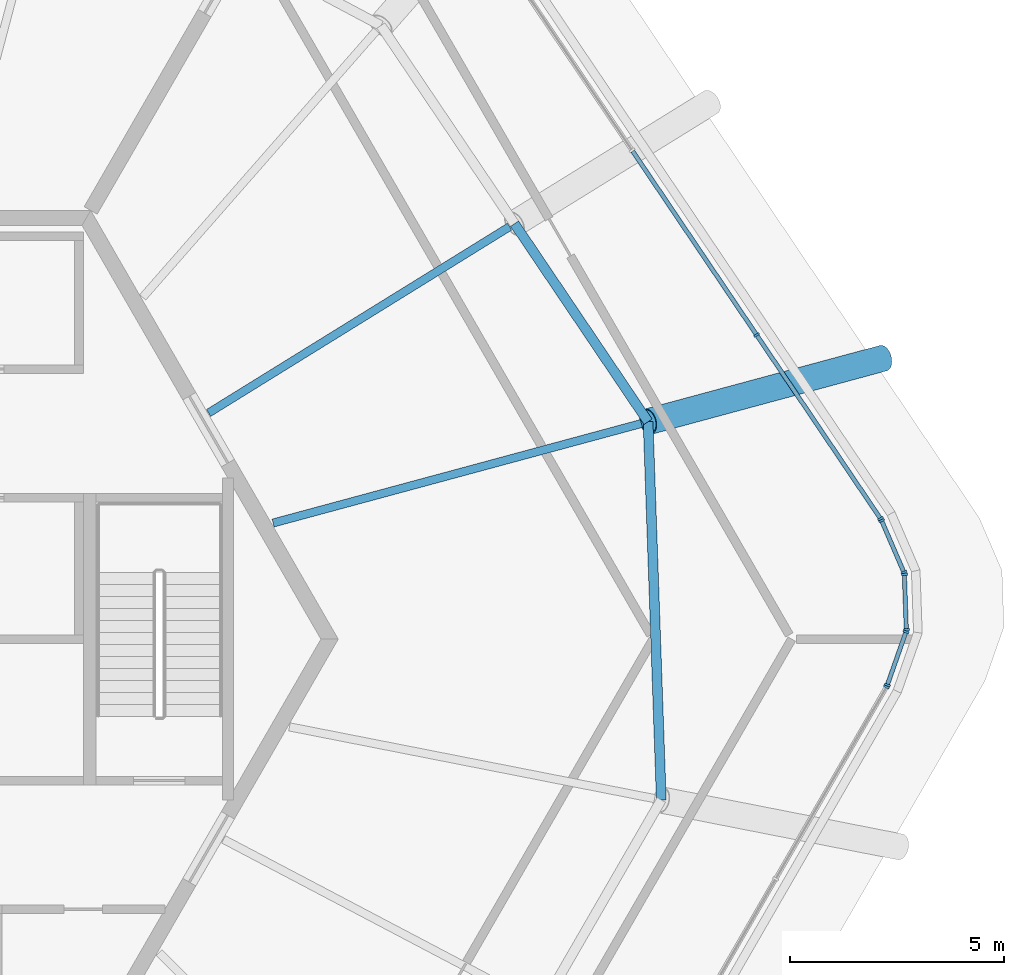
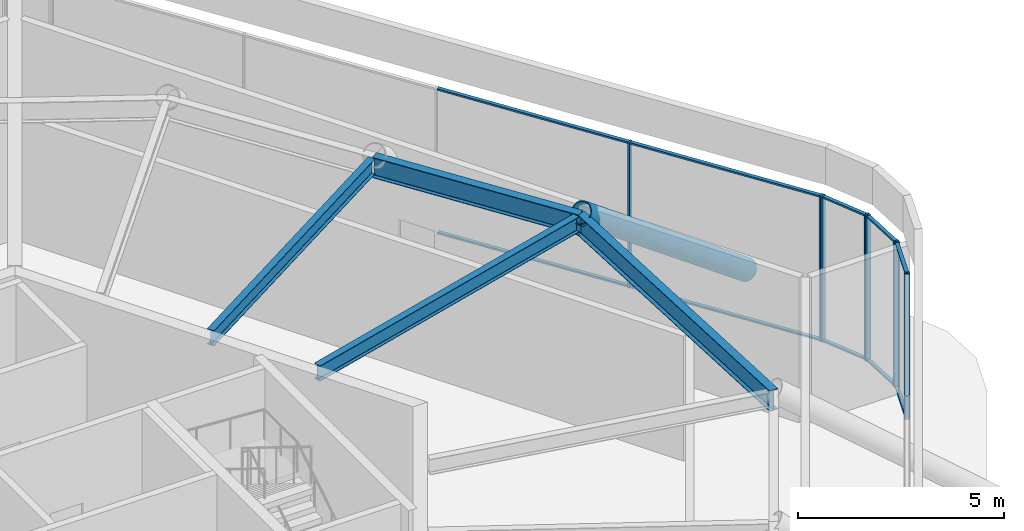
# One storey, part 5 of 13: 20 members, 4 beams, 5 elements without a shape of their own.
"""IFC4 building model written with IfcOpenShell, lengths in metres."""

from ifc_helpers import new_model, si_unit, direction, frame, origin, origin_2d, place, context, subcontext, project, spatial, rectangle, hollow_circle, i_section, extrude, material, material_profile, profile_set, type_object, element, aggregate, save


model = new_model("IFC4")

# Units and contexts
model_context = context("Model", 3, precision=1e-05, world=origin(), true_north=direction((0.0, 1.0)))
body_context = subcontext(model_context, "Body", "Model", "MODEL_VIEW")
ifc_project = project(units=[si_unit("LENGTHUNIT", "METRE"), si_unit("AREAUNIT", "SQUARE_METRE"), si_unit("VOLUMEUNIT", "CUBIC_METRE"), si_unit("PLANEANGLEUNIT", "RADIAN"), si_unit("MASSUNIT", "GRAM", prefix="KILO")], contexts=[model_context])

# Site, building, storey
site_placement = place(None, origin())
site = spatial("IfcSite", under=ifc_project, at=site_placement, CompositionType="ELEMENT")
building_placement = place(site_placement, origin())
building = spatial("IfcBuilding", under=site, at=building_placement, Name="Tarnside Tower", CompositionType="ELEMENT")
storey_placement = place(building_placement, frame((0.0, 0.0, 388.199951171875)))
storey = spatial("IfcBuildingStorey", under=building, at=storey_placement, Name="L92", CompositionType="ELEMENT", Elevation=388.199951171875)

# Curtain wall, members
ifc_material_1 = material(Name="Crown glazing wall", Category="glass")
curtain_wall_type = type_object("IfcCurtainWallType", Name="Crown glazing wall", PredefinedType="NOTDEFINED", material=ifc_material_1)
curtain_wall_1_placement = place(storey_placement, origin())
curtain_wall_1 = element("IfcCurtainWall", 1, at=curtain_wall_1_placement, inside=storey, type_object=curtain_wall_type, Name="Crown glazing L92 04", PredefinedType="NOTDEFINED")
ifc_material_2 = material(Name="Aluminium alloy 6063", Category="aluminium")
ifc_material_profile_1 = material_profile(ifc_material_2, rectangle(XDim=0.139892578125, YDim=0.050048828125, at=origin_2d()), Name="Crown glazing mullion 50 x 140")
ifc_profile_set_1 = profile_set([ifc_material_profile_1], Name="Aluminium alloy 6063")
member_type_1 = type_object("IfcMemberType", Name="Crown glazing mullion 50 x 140", PredefinedType="MULLION", material=ifc_profile_set_1)
member_1_placement = place(storey_placement, frame((21.30517578125, 7.094482421875, 0.0), z_axis=(0.0, 0.0, 1.0), x_axis=(0.829037572555, 0.559192903471, 0.0)))
member_1 = element("IfcMember", 2, at=member_1_placement, type_object=member_type_1, Name="CW6 mullion 4", PredefinedType="MULLION", context=body_context, shape_type="SweptSolid", body=[
    extrude(rectangle(XDim=0.139892578125, YDim=0.050048828125, at=origin_2d()), origin(), (0.0, 0.0, 1.0), 4.300048828125),
])
member_2_placement = place(storey_placement, frame((24.1962890625, 2.808349609375, 0.0), z_axis=(0.0, 0.0, 1.0), x_axis=(0.829037572555, 0.559192903471, 0.0)))
member_2 = element("IfcMember", 3, at=member_2_placement, type_object=member_type_1, Name="CW6 mullion 5", PredefinedType="MULLION", context=body_context, shape_type="SweptSolid", body=[
    extrude(rectangle(XDim=0.139892578125, YDim=0.050048828125, at=origin_2d()), origin(), (0.0, 0.0, 1.0), 4.300048828125),
])

curtain_wall_2_placement = place(storey_placement, origin())
curtain_wall_2 = element("IfcCurtainWall", 4, at=curtain_wall_2_placement, inside=storey, type_object=curtain_wall_type, Name="Crown glazing L92 05", PredefinedType="NOTDEFINED")
member_3_placement = place(storey_placement, frame((24.22021484375, 2.7646484375, 0.0), z_axis=(0.0, 0.0, 1.0), x_axis=(0.918216106813, 0.396079766194, 0.0)))
member_3 = element("IfcMember", 5, at=member_3_placement, type_object=member_type_1, Name="CW6 mullion 1", PredefinedType="MULLION", context=body_context, shape_type="SweptSolid", body=[
    extrude(rectangle(XDim=0.139892578125, YDim=0.050048828125, at=origin_2d()), origin(), (0.0, 0.0, 1.0), 4.300048828125),
])
member_4_placement = place(storey_placement, frame((24.740234375, 1.558837890625, 0.0), z_axis=(0.0, 0.0, 1.0), x_axis=(0.918216106813, 0.396079766194, 0.0)))
member_4 = element("IfcMember", 6, at=member_4_placement, type_object=member_type_1, Name="CW6 mullion 2", PredefinedType="MULLION", context=body_context, shape_type="SweptSolid", body=[
    extrude(rectangle(XDim=0.139892578125, YDim=0.050048828125, at=origin_2d()), origin(), (0.0, 0.0, 1.0), 4.300048828125),
])

curtain_wall_3_placement = place(storey_placement, origin())
curtain_wall_3 = element("IfcCurtainWall", 7, at=curtain_wall_3_placement, inside=storey, type_object=curtain_wall_type, Name="Crown glazing L92 06", PredefinedType="NOTDEFINED")
member_5_placement = place(storey_placement, frame((24.7509765625, 1.510986328125, 0.0), z_axis=(0.0, 0.0, 1.0), x_axis=(0.999390827031, 0.034899496354, 0.0)))
member_5 = element("IfcMember", 8, at=member_5_placement, type_object=member_type_1, Name="CW6 mullion 1", PredefinedType="MULLION", context=body_context, shape_type="SweptSolid", body=[
    extrude(rectangle(XDim=0.139892578125, YDim=0.050048828125, at=origin_2d()), origin(), (0.0, 0.0, 1.0), 4.300048828125),
])
member_6_placement = place(storey_placement, frame((24.796142578125, 0.21923828125, 0.0), z_axis=(0.0, 0.0, 1.0), x_axis=(0.999390827031, 0.034899496354, 0.0)))
member_6 = element("IfcMember", 9, at=member_6_placement, type_object=member_type_1, Name="CW6 mullion 2", PredefinedType="MULLION", context=body_context, shape_type="SweptSolid", body=[
    extrude(rectangle(XDim=0.139892578125, YDim=0.050048828125, at=origin_2d()), origin(), (0.0, 0.0, 1.0), 4.300048828125),
])

curtain_wall_4_placement = place(storey_placement, origin())
curtain_wall_4 = element("IfcCurtainWall", 10, at=curtain_wall_4_placement, inside=storey, type_object=curtain_wall_type, Name="Crown glazing L92 07", PredefinedType="NOTDEFINED")
member_7_placement = place(storey_placement, frame((24.788818359375, 0.170654296875, 0.0), z_axis=(0.0, 0.0, 1.0), x_axis=(0.943608506344, -0.331063418028, 0.0)))
member_7 = element("IfcMember", 11, at=member_7_placement, type_object=member_type_1, Name="CW6 mullion 1", PredefinedType="MULLION", context=body_context, shape_type="SweptSolid", body=[
    extrude(rectangle(XDim=0.139892578125, YDim=0.050048828125, at=origin_2d()), origin(), (0.0, 0.0, 1.0), 4.300048828125),
])
member_8_placement = place(storey_placement, frame((24.35400390625, -1.068359375, 0.0), z_axis=(0.0, 0.0, 1.0), x_axis=(0.943608506344, -0.331063418028, 0.0)))
member_8 = element("IfcMember", 12, at=member_8_placement, type_object=member_type_1, Name="CW6 mullion 2", PredefinedType="MULLION", context=body_context, shape_type="SweptSolid", body=[
    extrude(rectangle(XDim=0.139892578125, YDim=0.050048828125, at=origin_2d()), origin(), (0.0, 0.0, 1.0), 4.300048828125),
])

# Curtain wall, member
curtain_wall_5_placement = place(storey_placement, origin())
curtain_wall_5 = element("IfcCurtainWall", 13, at=curtain_wall_5_placement, inside=storey, type_object=curtain_wall_type, Name="Crown glazing L92 08", PredefinedType="NOTDEFINED")
member_9_placement = place(storey_placement, frame((24.333251953125, -1.11376953125, 0.0), z_axis=(0.0, 0.0, 1.0), x_axis=(0.866025403784, -0.5, 0.0)))
member_9 = element("IfcMember", 14, at=member_9_placement, type_object=member_type_1, Name="CW6 mullion 1", PredefinedType="MULLION", context=body_context, shape_type="SweptSolid", body=[
    extrude(rectangle(XDim=0.139892578125, YDim=0.050048828125, at=origin_2d()), origin(), (0.0, 0.0, 1.0), 4.300048828125),
])
aggregate(curtain_wall_5, [member_9])

# Member
ifc_material_profile_2 = material_profile(ifc_material_2, rectangle(XDim=0.10009765625, YDim=0.050048828125, at=origin_2d()), Name="Crown glazing transom 50 x 100")
ifc_profile_set_2 = profile_set([ifc_material_profile_2], Name="Aluminium alloy 6063")
member_type_2 = type_object("IfcMemberType", Name="Crown glazing transom 50 x 100", PredefinedType="USERDEFINED", material=ifc_profile_set_2)
member_10_placement = place(storey_placement, frame((18.414306640625, 11.380615234375, 0.025146484375), z_axis=(0.559181870059, -0.829045014579, 0.0), x_axis=(0.829045014579, 0.559181870059, 0.0)))
member_10 = element("IfcMember", 15, at=member_10_placement, type_object=member_type_2, Name="CW6 transom 3.1", ObjectType="TRANSOM", PredefinedType="USERDEFINED", context=body_context, shape_type="SweptSolid", body=[
    extrude(rectangle(XDim=0.10009765625, YDim=0.050048828125, at=origin_2d()), origin(), (0.0, 0.0, 1.0), 5.14501953125),
])

member_11_placement = place(storey_placement, frame((18.414306640625, 11.380615234375, 4.275146484375), z_axis=(0.559181870059, -0.829045014579, 0.0), x_axis=(0.829045014579, 0.559181870059, 0.0)))
member_11 = element("IfcMember", 16, at=member_11_placement, type_object=member_type_2, Name="CW6 transom 3.2", ObjectType="TRANSOM", PredefinedType="USERDEFINED", context=body_context, shape_type="SweptSolid", body=[
    extrude(rectangle(XDim=0.10009765625, YDim=0.050048828125, at=origin_2d()), origin(), (0.0, 0.0, 1.0), 5.14501953125),
])

member_12_placement = place(storey_placement, frame((21.319091796875, 7.07373046875, 0.025146484375), z_axis=(0.559192737184, -0.829037684717, 0.0), x_axis=(0.829037684717, 0.559192737184, 0.0)))
member_12 = element("IfcMember", 17, at=member_12_placement, type_object=member_type_2, Name="CW6 transom 4.1", ObjectType="TRANSOM", PredefinedType="USERDEFINED", context=body_context, shape_type="SweptSolid", body=[
    extrude(rectangle(XDim=0.10009765625, YDim=0.050048828125, at=origin_2d()), origin(), (0.0, 0.0, 1.0), 5.119873046875),
])

member_13_placement = place(storey_placement, frame((21.319091796875, 7.07373046875, 4.275146484375), z_axis=(0.559192737184, -0.829037684717, 0.0), x_axis=(0.829037684717, 0.559192737184, 0.0)))
member_13 = element("IfcMember", 18, at=member_13_placement, type_object=member_type_2, Name="CW6 transom 4.2", ObjectType="TRANSOM", PredefinedType="USERDEFINED", context=body_context, shape_type="SweptSolid", body=[
    extrude(rectangle(XDim=0.10009765625, YDim=0.050048828125, at=origin_2d()), origin(), (0.0, 0.0, 1.0), 5.119873046875),
])

aggregate(curtain_wall_1, [member_1, member_2, member_10, member_11, member_12, member_13])

member_14_placement = place(storey_placement, frame((24.22998046875, 2.74169921875, 0.025146484375), z_axis=(0.396180566146, -0.918172619396, 0.0), x_axis=(0.918172619396, 0.396180566146, 0.0)))
member_14 = element("IfcMember", 19, at=member_14_placement, type_object=member_type_2, Name="CW6 transom 1.1", ObjectType="TRANSOM", PredefinedType="USERDEFINED", context=body_context, shape_type="SweptSolid", body=[
    extrude(rectangle(XDim=0.10009765625, YDim=0.050048828125, at=origin_2d()), origin(), (0.0, 0.0, 1.0), 1.26318359375),
])

member_15_placement = place(storey_placement, frame((24.22998046875, 2.74169921875, 4.275146484375), z_axis=(0.396180566146, -0.918172619396, 0.0), x_axis=(0.918172619396, 0.396180566146, 0.0)))
member_15 = element("IfcMember", 20, at=member_15_placement, type_object=member_type_2, Name="CW6 transom 1.2", ObjectType="TRANSOM", PredefinedType="USERDEFINED", context=body_context, shape_type="SweptSolid", body=[
    extrude(rectangle(XDim=0.10009765625, YDim=0.050048828125, at=origin_2d()), origin(), (0.0, 0.0, 1.0), 1.26318359375),
])

aggregate(curtain_wall_2, [member_3, member_4, member_14, member_15])

member_16_placement = place(storey_placement, frame((24.751953125, 1.48583984375, 0.025146484375), z_axis=(0.034787191626, -0.999394742481, 0.0), x_axis=(0.999394742481, 0.034787191626, 0.0)))
member_16 = element("IfcMember", 21, at=member_16_placement, type_object=member_type_2, Name="CW6 transom 1.1", ObjectType="TRANSOM", PredefinedType="USERDEFINED", context=body_context, shape_type="SweptSolid", body=[
    extrude(rectangle(XDim=0.10009765625, YDim=0.050048828125, at=origin_2d()), origin(), (0.0, 0.0, 1.0), 1.2421875),
])

member_17_placement = place(storey_placement, frame((24.751953125, 1.48583984375, 4.275146484375), z_axis=(0.034787191626, -0.999394742481, 0.0), x_axis=(0.999394742481, 0.034787191626, 0.0)))
member_17 = element("IfcMember", 22, at=member_17_placement, type_object=member_type_2, Name="CW6 transom 1.2", ObjectType="TRANSOM", PredefinedType="USERDEFINED", context=body_context, shape_type="SweptSolid", body=[
    extrude(rectangle(XDim=0.10009765625, YDim=0.050048828125, at=origin_2d()), origin(), (0.0, 0.0, 1.0), 1.2421875),
])

aggregate(curtain_wall_3, [member_5, member_6, member_16, member_17])

member_18_placement = place(storey_placement, frame((24.780517578125, 0.147216796875, 0.025146484375), z_axis=(-0.33103035824, -0.943620104663, 0.0), x_axis=(0.943620104663, -0.33103035824, 0.0)))
member_18 = element("IfcMember", 23, at=member_18_placement, type_object=member_type_2, Name="CW6 transom 1.1", ObjectType="TRANSOM", PredefinedType="USERDEFINED", context=body_context, shape_type="SweptSolid", body=[
    extrude(rectangle(XDim=0.10009765625, YDim=0.050048828125, at=origin_2d()), origin(), (0.0, 0.0, 1.0), 1.263427734375),
])

member_19_placement = place(storey_placement, frame((24.780517578125, 0.147216796875, 4.275146484375), z_axis=(-0.33103035824, -0.943620104663, 0.0), x_axis=(0.943620104663, -0.33103035824, 0.0)))
member_19 = element("IfcMember", 24, at=member_19_placement, type_object=member_type_2, Name="CW6 transom 1.2", ObjectType="TRANSOM", PredefinedType="USERDEFINED", context=body_context, shape_type="SweptSolid", body=[
    extrude(rectangle(XDim=0.10009765625, YDim=0.050048828125, at=origin_2d()), origin(), (0.0, 0.0, 1.0), 1.263427734375),
])

aggregate(curtain_wall_4, [member_7, member_8, member_18, member_19])

# Beams
ifc_material_3 = material(Name="Steel S355", Category="steel")
ifc_material_profile_3 = material_profile(ifc_material_3, i_section(OverallWidth=0.18994140625, OverallDepth=0.453369140625, WebThickness=0.008544921875, FlangeThickness=0.0126953125, FilletRadius=0.01025390625, at=origin_2d()), Name="UB 457x191x67")
ifc_profile_set_3 = profile_set([ifc_material_profile_3], Name="Steel S355")
beam_type_1 = type_object("IfcBeamType", Name="Floor beam UB 457x191x67", PredefinedType="BEAM", material=ifc_profile_set_3)
beam_1_placement = place(storey_placement, frame((18.618408203125, 5.030029296875, 4.0732421875), z_axis=(-0.965385987406, -0.260825411568, 0.0), x_axis=(0.260825411568, -0.965385987406, 0.0)))
element("IfcBeam", 25, at=beam_1_placement, inside=storey, type_object=beam_type_1, Name="Floor beam RB16", PredefinedType="BEAM", context=body_context, shape_type="SweptSolid", body=[
    extrude(i_section(OverallWidth=0.18994140625, OverallDepth=0.453369140625, WebThickness=0.008544921875, FlangeThickness=0.0126953125, FilletRadius=0.01025390625, at=origin_2d()), origin(), (0.0, 0.0, 1.0), 8.89892578125),
])
beam_2_placement = place(storey_placement, frame((15.54345703125, 9.620849609375, 4.0732421875), z_axis=(-0.850302960042, -0.526293526603, 0.0), x_axis=(0.526293526603, -0.850302960042, 0.0)))
element("IfcBeam", 26, at=beam_2_placement, inside=storey, type_object=beam_type_1, Name="Floor beam RB17", PredefinedType="BEAM", context=body_context, shape_type="SweptSolid", body=[
    extrude(i_section(OverallWidth=0.18994140625, OverallDepth=0.453369140625, WebThickness=0.008544921875, FlangeThickness=0.0126953125, FilletRadius=0.01025390625, at=origin_2d()), origin(), (0.0, 0.0, 1.0), 8.25537109375),
])
ifc_material_profile_4 = material_profile(ifc_material_3, i_section(OverallWidth=0.228271484375, OverallDepth=0.607666015625, WebThickness=0.010986328125, FlangeThickness=0.017333984375, FilletRadius=0.0126953125, at=origin_2d()), Name="UB 610x229x113")
ifc_profile_set_4 = profile_set([ifc_material_profile_4], Name="Steel S355")
beam_type_2 = type_object("IfcBeamType", Name="Floor beam UB 610x229x113", PredefinedType="BEAM", material=ifc_profile_set_4)
beam_3_placement = place(storey_placement, frame((19.08154296875, -3.75, 3.996337890625), z_axis=(-0.034904273349, 0.999390660204, 0.0), x_axis=(-0.999390660204, -0.034904273349, 0.0)))
element("IfcBeam", 27, at=beam_3_placement, inside=storey, type_object=beam_type_2, Name="Floor beam R15", PredefinedType="BEAM", context=body_context, shape_type="SweptSolid", body=[
    extrude(i_section(OverallWidth=0.228271484375, OverallDepth=0.607666015625, WebThickness=0.010986328125, FlangeThickness=0.017333984375, FilletRadius=0.0126953125, at=origin_2d()), origin(), (0.0, 0.0, 1.0), 8.8271484375),
])
beam_4_placement = place(storey_placement, frame((18.7734375, 5.07177734375, 3.996337890625), z_axis=(-0.559191393124, 0.829038591295, 0.0), x_axis=(-0.829038591295, -0.559191393124, 0.0)))
element("IfcBeam", 28, at=beam_4_placement, inside=storey, type_object=beam_type_2, Name="Floor beam R16", PredefinedType="BEAM", context=body_context, shape_type="SweptSolid", body=[
    extrude(i_section(OverallWidth=0.228271484375, OverallDepth=0.607666015625, WebThickness=0.010986328125, FlangeThickness=0.017333984375, FilletRadius=0.0126953125, at=origin_2d()), origin(), (0.0, 0.0, 1.0), 5.572265625),
])

# Member
ifc_material_profile_5 = material_profile(ifc_material_3, hollow_circle(Radius=0.304931640625, WallThickness=0.02490234375, at=origin_2d()), Name="CHS 610x25")
ifc_profile_set_5 = profile_set([ifc_material_profile_5], Name="Steel S355")
member_type_3 = type_object("IfcMemberType", Name="Truss diagonal CHS 610x25", PredefinedType="BRACE", material=ifc_profile_set_5)
member_20_placement = place(storey_placement, frame((24.257568359375, 6.553466796875, -0.199951171875), z_axis=(-0.756729951003, -0.204451501253, 0.620934267769), x_axis=(0.260825674506, -0.965385916366, 0.0)))
element("IfcMember", 29, at=member_20_placement, inside=storey, type_object=member_type_3, Name="Crown leg L92 16", PredefinedType="BRACE", context=body_context, shape_type="SweptSolid", body=[
    extrude(hollow_circle(Radius=0.304931640625, WallThickness=0.02490234375, at=origin_2d()), origin(), (0.0, 0.0, 1.0), 7.2470703125),
])

save(model, "model.ifc")
